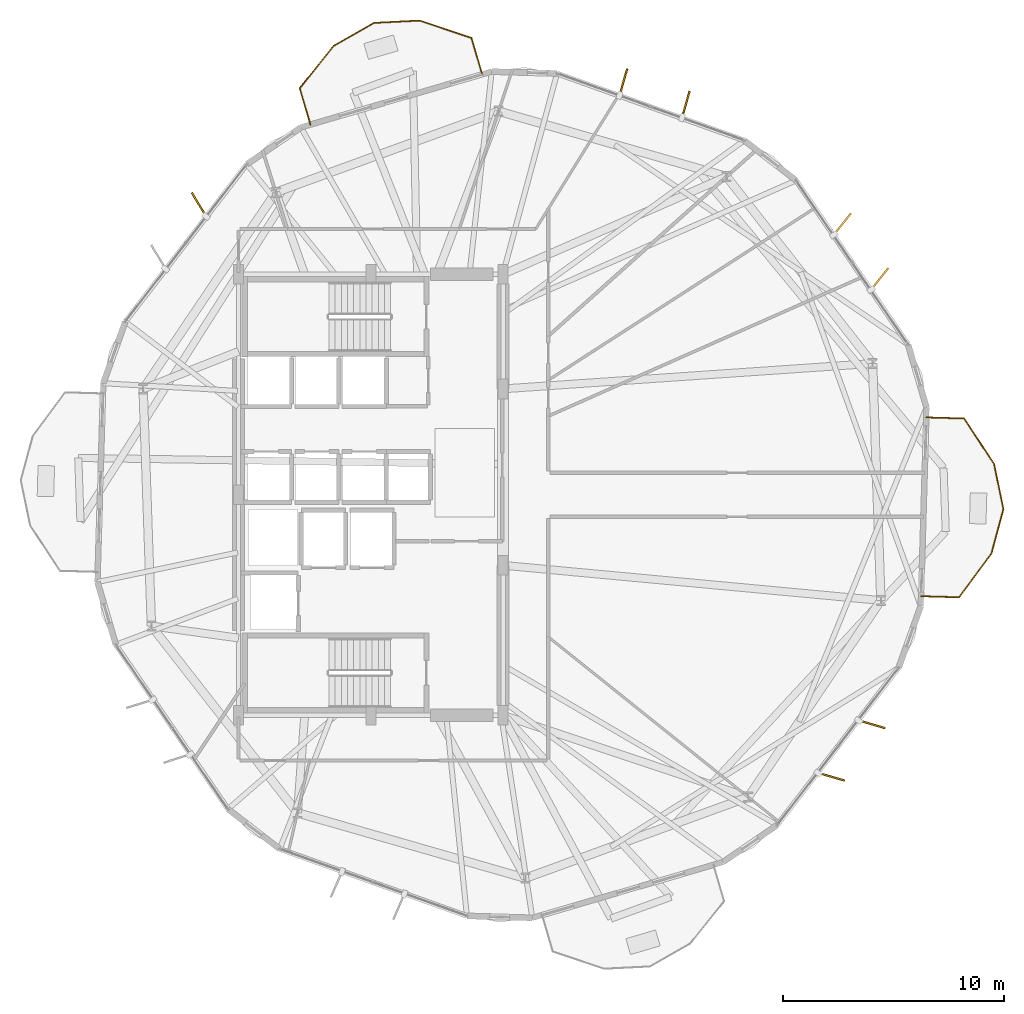
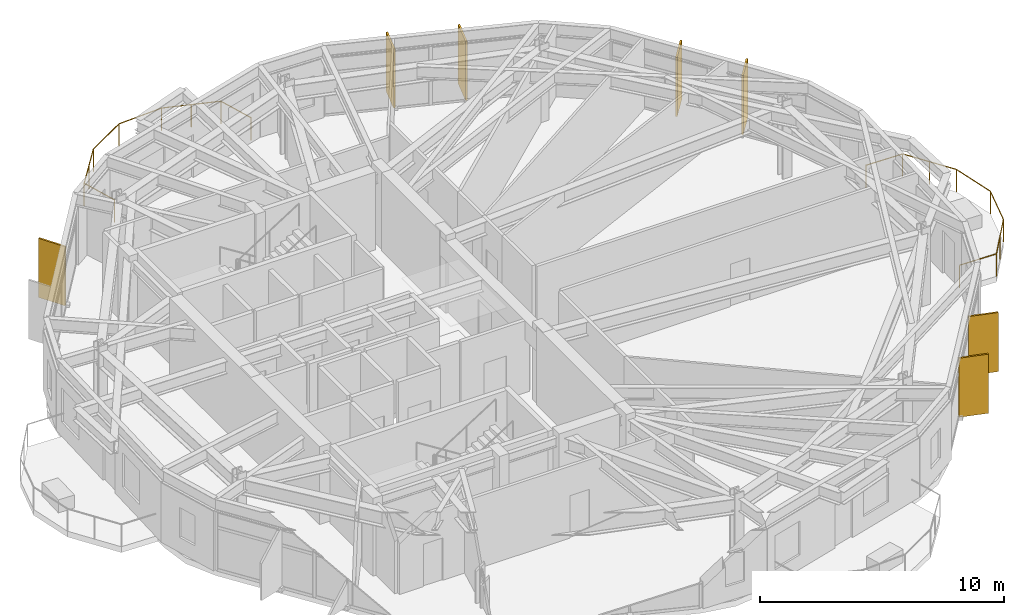
# One storey, part 24 of 24: 7 shading devices, 2 railings.
"""IFC4 building model written with IfcOpenShell, lengths in metres."""

from ifc_helpers import new_model, si_unit, direction, frame, origin, origin_2d, place, context, subcontext, project, spatial, rectangle, circle, extrude, material, layer, layer_set, type_object, element, save


model = new_model("IFC4")

# Units and contexts
model_context = context("Model", 3, precision=1e-05, world=origin(), true_north=direction((0.0, 1.0)))
body_context = subcontext(model_context, "Body", "Model", "MODEL_VIEW")
ifc_project = project(units=[si_unit("LENGTHUNIT", "METRE"), si_unit("AREAUNIT", "SQUARE_METRE"), si_unit("VOLUMEUNIT", "CUBIC_METRE"), si_unit("PLANEANGLEUNIT", "RADIAN"), si_unit("MASSUNIT", "GRAM", prefix="KILO")], contexts=[model_context])

# Site, building, storey
site_placement = place(None, origin())
site = spatial("IfcSite", under=ifc_project, at=site_placement, CompositionType="ELEMENT")
building_placement = place(site_placement, origin())
building = spatial("IfcBuilding", under=site, at=building_placement, Name="Soratama Intermodal Tower", CompositionType="ELEMENT")
storey_placement = place(building_placement, frame((0.0, 0.0, 91.300048828125)))
storey = spatial("IfcBuildingStorey", under=building, at=storey_placement, Name="L21", CompositionType="ELEMENT", Elevation=91.300048828125)

# Railings
ifc_material_1 = material(Name="Laminated glass and stainless steel balustrade", Category="steel")
railing_type = type_object("IfcRailingType", Name="RL-BAL-1150", PredefinedType="BALUSTRADE", material=ifc_material_1)
railing_1_placement = place(storey_placement, frame((63.786376953125, 28.509033203125, 0.0)))
element("IfcRailing", 1, at=railing_1_placement, inside=storey, type_object=railing_type, Name="L21 Balcony Balustrade 1", PredefinedType="BALUSTRADE", context=body_context, shape_type="SweptSolid", body=[
    extrude(circle(Radius=0.02392578125, at=origin_2d()), frame((0.0, 0.0, 1.1259765625), z_axis=(0.999572403856, -0.029240544617, 0.0), x_axis=(0.029240544617, 0.999572403856, 0.0)), (0.0, 0.0, 1.0), 1.719970703125),
    extrude(circle(Radius=0.02392578125, at=origin_2d()), frame((1.71923828125, -0.05029296875, 1.1259765625), z_axis=(0.547711931437, -0.836666982832, 0.0), x_axis=(0.836666982832, 0.547711931437, 0.0)), (0.0, 0.0, 1.0), 2.473876953125),
    extrude(circle(Radius=0.02392578125, at=origin_2d()), frame((3.07421875, -2.1201171875, 1.1259765625), z_axis=(0.203828093945, -0.979006694624, 0.0), x_axis=(0.979006694624, 0.203828093945, 0.0)), (0.0, 0.0, 1.0), 2.08642578125),
    extrude(circle(Radius=0.02392578125, at=origin_2d()), frame((3.49951171875, -4.162841796875, 1.1259765625), z_axis=(-0.260858914784, -0.965376934973, 0.0), x_axis=(0.965376934973, -0.260858914784, 0.0)), (0.0, 0.0, 1.0), 2.086181640625),
    extrude(circle(Radius=0.02392578125, at=origin_2d()), frame((2.955322265625, -6.1767578125, 1.1259765625), z_axis=(-0.595855136786, -0.80309193494, 0.0), x_axis=(0.80309193494, -0.595855136786, 0.0)), (0.0, 0.0, 1.0), 2.473876953125),
    extrude(circle(Radius=0.02392578125, at=origin_2d()), frame((1.481201171875, -8.16357421875, 1.1259765625), z_axis=(-0.999572403856, 0.029240544617, 0.0), x_axis=(-0.029240544617, -0.999572403856, 0.0)), (0.0, 0.0, 1.0), 1.719970703125),
    extrude(circle(Radius=0.02099609375, at=origin_2d()), origin(), (0.0, 0.0, 1.0), 1.101806640625),
    extrude(circle(Radius=0.02099609375, at=origin_2d()), frame((1.71923828125, -0.05029296875, 0.0)), (0.0, 0.0, 1.0), 1.101806640625),
    extrude(circle(Radius=0.02099609375, at=origin_2d()), frame((2.396728515625, -1.085205078125, 0.0)), (0.0, 0.0, 1.0), 1.101806640625),
    extrude(circle(Radius=0.02099609375, at=origin_2d()), frame((3.07421875, -2.1201171875, 0.0)), (0.0, 0.0, 1.0), 1.101806640625),
    extrude(circle(Radius=0.02099609375, at=origin_2d()), frame((3.49951171875, -4.162841796875, 0.0)), (0.0, 0.0, 1.0), 1.101806640625),
    extrude(circle(Radius=0.02099609375, at=origin_2d()), frame((2.955322265625, -6.1767578125, 0.0)), (0.0, 0.0, 1.0), 1.101806640625),
    extrude(circle(Radius=0.02099609375, at=origin_2d()), frame((2.21826171875, -7.170166015625, 0.0)), (0.0, 0.0, 1.0), 1.101806640625),
    extrude(circle(Radius=0.02099609375, at=origin_2d()), frame((1.481201171875, -8.16357421875, 0.0)), (0.0, 0.0, 1.0), 1.101806640625),
    extrude(circle(Radius=0.02099609375, at=origin_2d()), frame((-0.238037109375, -8.11328125, 0.0)), (0.0, 0.0, 1.0), 1.101806640625),
])
railing_2_placement = place(storey_placement, frame((35.857421875, 41.782470703125, 0.0)))
element("IfcRailing", 2, at=railing_2_placement, inside=storey, type_object=railing_type, Name="L21 Balcony Balustrade 2", PredefinedType="BALUSTRADE", context=body_context, shape_type="SweptSolid", body=[
    extrude(circle(Radius=0.02392578125, at=origin_2d()), frame((0.0, 0.0, 1.1259765625), z_axis=(-0.281051817355, 0.959692594512, 0.0), x_axis=(-0.959692594512, -0.281051817355, 0.0)), (0.0, 0.0, 1.0), 1.719970703125),
    extrude(circle(Radius=0.02392578125, at=origin_2d()), frame((-0.4833984375, 1.650634765625, 1.1259765625), z_axis=(0.626366479274, 0.779528725348, 0.0), x_axis=(-0.779528725348, 0.626366479274, 0.0)), (0.0, 0.0, 1.0), 2.473876953125),
    extrude(circle(Radius=0.02392578125, at=origin_2d()), frame((1.066162109375, 3.5791015625, 1.1259765625), z_axis=(0.868113498984, 0.496365745072, 0.0), x_axis=(-0.496365745072, 0.868113498984, 0.0)), (0.0, 0.0, 1.0), 2.08642578125),
    extrude(circle(Radius=0.02392578125, at=origin_2d()), frame((2.87744140625, 4.61474609375, 1.1259765625), z_axis=(0.998739172776, 0.050200246646, 0.0), x_axis=(-0.050200246646, 0.998739172776, 0.0)), (0.0, 0.0, 1.0), 2.08642578125),
    extrude(circle(Radius=0.02392578125, at=origin_2d()), frame((4.961181640625, 4.719482421875, 1.1259765625), z_axis=(0.947940583729, -0.318447247938, 0.0), x_axis=(0.318447247938, 0.947940583729, 0.0)), (0.0, 0.0, 1.0), 2.47412109375),
    extrude(circle(Radius=0.02392578125, at=origin_2d()), frame((7.306396484375, 3.931640625, 1.1259765625), z_axis=(0.280921076452, -0.959730873112, 0.0), x_axis=(0.959730873112, 0.280921076452, 0.0)), (0.0, 0.0, 1.0), 1.719970703125),
    extrude(circle(Radius=0.02099609375, at=origin_2d()), origin(), (0.0, 0.0, 1.0), 1.101806640625),
    extrude(circle(Radius=0.02099609375, at=origin_2d()), frame((-0.4833984375, 1.650634765625, 0.0)), (0.0, 0.0, 1.0), 1.101806640625),
    extrude(circle(Radius=0.02099609375, at=origin_2d()), frame((0.29150390625, 2.61474609375, 0.0)), (0.0, 0.0, 1.0), 1.101806640625),
    extrude(circle(Radius=0.02099609375, at=origin_2d()), frame((1.066162109375, 3.5791015625, 0.0)), (0.0, 0.0, 1.0), 1.101806640625),
    extrude(circle(Radius=0.02099609375, at=origin_2d()), frame((2.87744140625, 4.61474609375, 0.0)), (0.0, 0.0, 1.0), 1.101806640625),
    extrude(circle(Radius=0.02099609375, at=origin_2d()), frame((4.961181640625, 4.719482421875, 0.0)), (0.0, 0.0, 1.0), 1.101806640625),
    extrude(circle(Radius=0.02099609375, at=origin_2d()), frame((6.1337890625, 4.32568359375, 0.0)), (0.0, 0.0, 1.0), 1.101806640625),
    extrude(circle(Radius=0.02099609375, at=origin_2d()), frame((7.306396484375, 3.931640625, 0.0)), (0.0, 0.0, 1.0), 1.101806640625),
    extrude(circle(Radius=0.02099609375, at=origin_2d()), frame((7.78955078125, 2.281005859375, 0.0)), (0.0, 0.0, 1.0), 1.101806640625),
])

# Shading devices
ifc_material_2 = material(Name="Champagne anodised aluminium solar fin", Category="aluminium")
ifc_layer = layer(ifc_material_2, 0.080078125)
ifc_layer_set = layer_set([ifc_layer], Name="Champagne anodised aluminium solar fin")
shading_device_type = type_object("IfcShadingDeviceType", Name="SH-FIN-1250", PredefinedType="USERDEFINED", material=ifc_layer_set)
for number, where, z_axis, x_axis, name in (
    (3, (61.6748046875, 34.79150390625, 0.02001953125), (0.0, 0.0, 1.0), (0.625378857614, 0.780321270022, 0.0), "L21 Solar Fin F01-1"),
    (4, (59.980224609375, 37.27392578125, 0.02001953125), (0.0, 0.0, 1.0), (0.625378857614, 0.780321270022, 0.0), "L21 Solar Fin F01-2"),
    (5, (52.88134765625, 42.69873046875, 0.02001953125), (0.0, 0.0, 1.0), (0.274462747688, 0.961597733011, 0.0), "L21 Solar Fin F02-1"),
    (6, (50.05126953125, 43.7109375, 0.02001953125), (0.0, 0.0, 1.0), (0.274462747688, 0.961597733011, 0.0), "L21 Solar Fin F02-2"),
    (7, (30.806396484375, 38.157958984375, 0.02001953125), (0.0, 0.0, 1.0), (-0.514140169175, 0.85770617722, 0.0), "L21 Solar Fin F04-1"),
    (8, (59.48095703125, 12.214111328125, 0.02001953125), (0.0, 0.0, 1.0), (0.959805291975, -0.280666708921, 0.0), "L21 Solar Fin F09-1"),
    (9, (61.318115234375, 14.593017578125, 0.02001953125), (0.0, 0.0, 1.0), (0.959805291975, -0.280666708921, 0.0), "L21 Solar Fin F09-2"),
):
    element("IfcShadingDevice", number, at=place(storey_placement, frame(where, z_axis=z_axis, x_axis=x_axis)), inside=storey, type_object=shading_device_type, Name=name, ObjectType="FIN", PredefinedType="USERDEFINED", context=body_context, shape_type="SweptSolid", body=[
        extrude(rectangle(XDim=1.25, YDim=0.080078125, at=origin_2d()), origin(), (0.0, 0.0, 1.0), 2.958984375),
    ])

save(model, "model.ifc")
